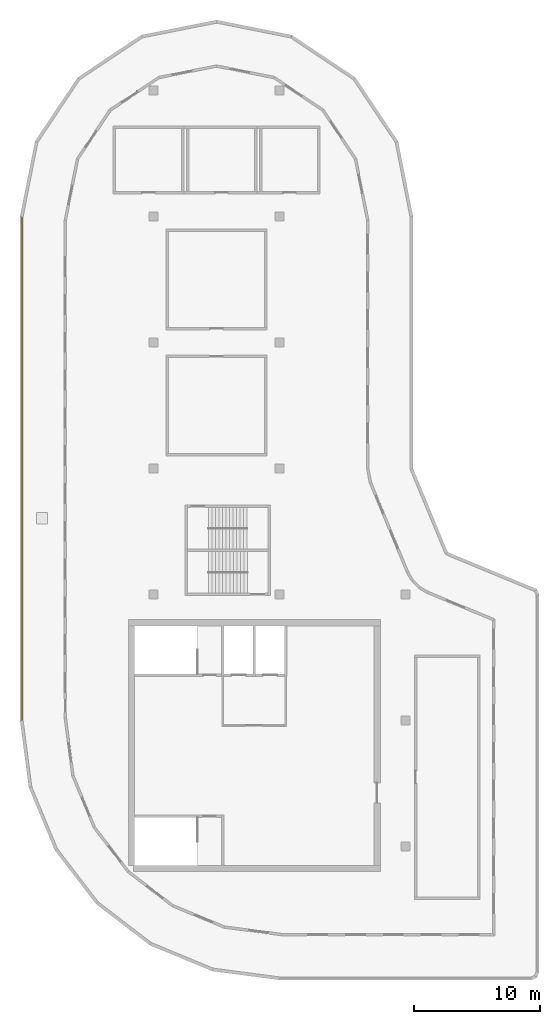
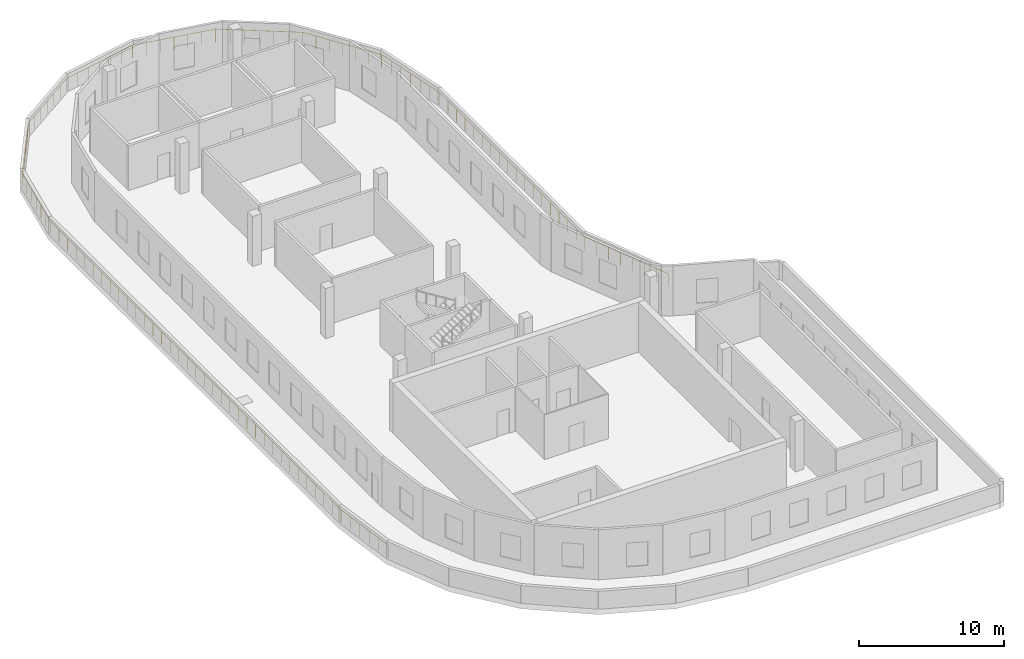
# One storey, part 6 of 6: 1 railing.
"""IFC4 building model written with IfcOpenShell, lengths in metres."""

from ifc_helpers import new_model, si_unit, direction, frame, origin, origin_2d, place, context, subcontext, project, spatial, circle, extrude, material, type_object, element, save


model = new_model("IFC4")

# Units and contexts
model_context = context("Model", 3, precision=1e-05, world=origin(), true_north=direction((0.0, 1.0)))
body_context = subcontext(model_context, "Body", "Model", "MODEL_VIEW")
ifc_project = project(units=[si_unit("LENGTHUNIT", "METRE"), si_unit("AREAUNIT", "SQUARE_METRE"), si_unit("VOLUMEUNIT", "CUBIC_METRE"), si_unit("PLANEANGLEUNIT", "RADIAN"), si_unit("MASSUNIT", "GRAM", prefix="KILO")], contexts=[model_context])

# Site, building, storey
site_placement = place(None, origin())
site = spatial("IfcSite", under=ifc_project, at=site_placement, CompositionType="ELEMENT")
building_placement = place(site_placement, origin())
building = spatial("IfcBuilding", under=site, at=building_placement, Name="Qaws Garden Tower", CompositionType="ELEMENT")
storey_placement = place(building_placement, frame((0.0, 0.0, 365.39990234375)))
storey = spatial("IfcBuildingStorey", under=building, at=storey_placement, Name="C1", CompositionType="ELEMENT", Elevation=365.39990234375)

# Railing
ifc_material = material(Name="Steel S355", Category="steel")
railing_type = type_object("IfcRailingType", Name="Guard steel balustrade 1100", PredefinedType="GUARDRAIL", material=ifc_material)
railing_placement = place(storey_placement, frame((0.248046875, 14.70751953125, 0.0)))
element("IfcRailing", 1, at=railing_placement, inside=storey, type_object=railing_type, Name="Terrace guard", PredefinedType="GUARDRAIL", context=body_context, shape_type="SweptSolid", body=[
    extrude(circle(Radius=0.02392578125, at=origin_2d()), frame((0.0, 0.0, 1.076171875), z_axis=(-0.13051591884, 0.991446213836, 0.0), x_axis=(-0.991446213836, -0.13051591884, 0.0)), (0.0, 0.0, 1.0), 5.347900390625),
    extrude(circle(Radius=0.02392578125, at=origin_2d()), frame((-0.697998046875, 5.30224609375, 1.076171875), z_axis=(0.0, 1.0, 0.0), x_axis=(-1.0, 0.0, 0.0)), (0.0, 0.0, 1.0), 39.975341796875),
    extrude(circle(Radius=0.02392578125, at=origin_2d()), frame((-0.697998046875, 45.277587890625, 1.076171875), z_axis=(0.195074821579, 0.980788363505, 0.0), x_axis=(-0.980788363505, 0.195074821579, 0.0)), (0.0, 0.0, 1.0), 6.042236328125),
    extrude(circle(Radius=0.02392578125, at=origin_2d()), frame((0.480712890625, 51.203857421875, 1.076171875), z_axis=(0.555597264704, 0.831451549673, 0.0), x_axis=(-0.831451549673, 0.555597264704, 0.0)), (0.0, 0.0, 1.0), 6.027099609375),
    extrude(circle(Radius=0.02392578125, at=origin_2d()), frame((3.829345703125, 56.215087890625, 1.076171875), z_axis=(0.831451549673, 0.555597264704, 0.0), x_axis=(-0.555597264704, 0.831451549673, 0.0)), (0.0, 0.0, 1.0), 6.027099609375),
    extrude(circle(Radius=0.02392578125, at=origin_2d()), frame((8.840576171875, 59.563720703125, 1.076171875), z_axis=(0.980787335434, 0.195079990396, 0.0), x_axis=(-0.195079990396, 0.980787335434, 0.0)), (0.0, 0.0, 1.0), 6.027099609375),
    extrude(circle(Radius=0.02392578125, at=origin_2d()), frame((14.751953125, 60.739501953125, 1.076171875), z_axis=(0.980787335434, -0.195079990396, 0.0), x_axis=(0.195079990396, 0.980787335434, 0.0)), (0.0, 0.0, 1.0), 6.027099609375),
    extrude(circle(Radius=0.02392578125, at=origin_2d()), frame((20.663330078125, 59.563720703125, 1.076171875), z_axis=(0.831451549673, -0.555597264704, 0.0), x_axis=(0.555597264704, 0.831451549673, 0.0)), (0.0, 0.0, 1.0), 6.027099609375),
    extrude(circle(Radius=0.02392578125, at=origin_2d()), frame((25.674560546875, 56.215087890625, 1.076171875), z_axis=(0.555597264704, -0.831451549673, 0.0), x_axis=(0.831451549673, 0.555597264704, 0.0)), (0.0, 0.0, 1.0), 6.027099609375),
    extrude(circle(Radius=0.02392578125, at=origin_2d()), frame((29.023193359375, 51.203857421875, 1.076171875), z_axis=(0.195074821579, -0.980788363505, 0.0), x_axis=(0.980788363505, 0.195074821579, 0.0)), (0.0, 0.0, 1.0), 6.042236328125),
    extrude(circle(Radius=0.02392578125, at=origin_2d()), frame((30.201904296875, 45.277587890625, 1.076171875), z_axis=(0.0, -1.0, 0.0), x_axis=(1.0, 0.0, 0.0)), (0.0, 0.0, 1.0), 19.985107421875),
    extrude(circle(Radius=0.02392578125, at=origin_2d()), frame((30.201904296875, 25.29248046875, 1.076171875), z_axis=(0.381237415932, -0.92447716721, 0.0), x_axis=(0.92447716721, 0.381237415932, 0.0)), (0.0, 0.0, 1.0), 7.251708984375),
    extrude(circle(Radius=0.02099609375, at=origin_2d()), origin(), (0.0, 0.0, 1.0), 1.052001953125),
    extrude(circle(Radius=0.02099609375, at=origin_2d()), frame((-0.1396484375, 1.060546875, 0.0)), (0.0, 0.0, 1.0), 1.052001953125),
    extrude(circle(Radius=0.02099609375, at=origin_2d()), frame((-0.279296875, 2.120849609375, 0.0)), (0.0, 0.0, 1.0), 1.052001953125),
    extrude(circle(Radius=0.02099609375, at=origin_2d()), frame((-0.418701171875, 3.181396484375, 0.0)), (0.0, 0.0, 1.0), 1.052001953125),
    extrude(circle(Radius=0.02099609375, at=origin_2d()), frame((-0.558349609375, 4.24169921875, 0.0)), (0.0, 0.0, 1.0), 1.052001953125),
    extrude(circle(Radius=0.02099609375, at=origin_2d()), frame((-0.697998046875, 5.30224609375, 0.0)), (0.0, 0.0, 1.0), 1.052001953125),
    extrude(circle(Radius=0.02099609375, at=origin_2d()), frame((-0.697998046875, 6.47802734375, 0.0)), (0.0, 0.0, 1.0), 1.052001953125),
    extrude(circle(Radius=0.02099609375, at=origin_2d()), frame((-0.697998046875, 7.65380859375, 0.0)), (0.0, 0.0, 1.0), 1.052001953125),
    extrude(circle(Radius=0.02099609375, at=origin_2d()), frame((-0.697998046875, 8.82958984375, 0.0)), (0.0, 0.0, 1.0), 1.052001953125),
    extrude(circle(Radius=0.02099609375, at=origin_2d()), frame((-0.697998046875, 10.005126953125, 0.0)), (0.0, 0.0, 1.0), 1.052001953125),
    extrude(circle(Radius=0.02099609375, at=origin_2d()), frame((-0.697998046875, 11.180908203125, 0.0)), (0.0, 0.0, 1.0), 1.052001953125),
    extrude(circle(Radius=0.02099609375, at=origin_2d()), frame((-0.697998046875, 12.356689453125, 0.0)), (0.0, 0.0, 1.0), 1.052001953125),
    extrude(circle(Radius=0.02099609375, at=origin_2d()), frame((-0.697998046875, 13.532470703125, 0.0)), (0.0, 0.0, 1.0), 1.052001953125),
    extrude(circle(Radius=0.02099609375, at=origin_2d()), frame((-0.697998046875, 14.708251953125, 0.0)), (0.0, 0.0, 1.0), 1.052001953125),
    extrude(circle(Radius=0.02099609375, at=origin_2d()), frame((-0.697998046875, 15.884033203125, 0.0)), (0.0, 0.0, 1.0), 1.052001953125),
    extrude(circle(Radius=0.02099609375, at=origin_2d()), frame((-0.697998046875, 17.059814453125, 0.0)), (0.0, 0.0, 1.0), 1.052001953125),
    extrude(circle(Radius=0.02099609375, at=origin_2d()), frame((-0.697998046875, 18.2353515625, 0.0)), (0.0, 0.0, 1.0), 1.052001953125),
    extrude(circle(Radius=0.02099609375, at=origin_2d()), frame((-0.697998046875, 19.4111328125, 0.0)), (0.0, 0.0, 1.0), 1.052001953125),
    extrude(circle(Radius=0.02099609375, at=origin_2d()), frame((-0.697998046875, 20.5869140625, 0.0)), (0.0, 0.0, 1.0), 1.052001953125),
    extrude(circle(Radius=0.02099609375, at=origin_2d()), frame((-0.697998046875, 21.7626953125, 0.0)), (0.0, 0.0, 1.0), 1.052001953125),
    extrude(circle(Radius=0.02099609375, at=origin_2d()), frame((-0.697998046875, 22.9384765625, 0.0)), (0.0, 0.0, 1.0), 1.052001953125),
    extrude(circle(Radius=0.02099609375, at=origin_2d()), frame((-0.697998046875, 24.1142578125, 0.0)), (0.0, 0.0, 1.0), 1.052001953125),
    extrude(circle(Radius=0.02099609375, at=origin_2d()), frame((-0.697998046875, 25.2900390625, 0.0)), (0.0, 0.0, 1.0), 1.052001953125),
    extrude(circle(Radius=0.02099609375, at=origin_2d()), frame((-0.697998046875, 26.465576171875, 0.0)), (0.0, 0.0, 1.0), 1.052001953125),
    extrude(circle(Radius=0.02099609375, at=origin_2d()), frame((-0.697998046875, 27.641357421875, 0.0)), (0.0, 0.0, 1.0), 1.052001953125),
    extrude(circle(Radius=0.02099609375, at=origin_2d()), frame((-0.697998046875, 28.817138671875, 0.0)), (0.0, 0.0, 1.0), 1.052001953125),
    extrude(circle(Radius=0.02099609375, at=origin_2d()), frame((-0.697998046875, 29.992919921875, 0.0)), (0.0, 0.0, 1.0), 1.052001953125),
    extrude(circle(Radius=0.02099609375, at=origin_2d()), frame((-0.697998046875, 31.168701171875, 0.0)), (0.0, 0.0, 1.0), 1.052001953125),
    extrude(circle(Radius=0.02099609375, at=origin_2d()), frame((-0.697998046875, 32.344482421875, 0.0)), (0.0, 0.0, 1.0), 1.052001953125),
    extrude(circle(Radius=0.02099609375, at=origin_2d()), frame((-0.697998046875, 33.52001953125, 0.0)), (0.0, 0.0, 1.0), 1.052001953125),
    extrude(circle(Radius=0.02099609375, at=origin_2d()), frame((-0.697998046875, 34.69580078125, 0.0)), (0.0, 0.0, 1.0), 1.052001953125),
    extrude(circle(Radius=0.02099609375, at=origin_2d()), frame((-0.697998046875, 35.87158203125, 0.0)), (0.0, 0.0, 1.0), 1.052001953125),
    extrude(circle(Radius=0.02099609375, at=origin_2d()), frame((-0.697998046875, 37.04736328125, 0.0)), (0.0, 0.0, 1.0), 1.052001953125),
    extrude(circle(Radius=0.02099609375, at=origin_2d()), frame((-0.697998046875, 38.22314453125, 0.0)), (0.0, 0.0, 1.0), 1.052001953125),
    extrude(circle(Radius=0.02099609375, at=origin_2d()), frame((-0.697998046875, 39.39892578125, 0.0)), (0.0, 0.0, 1.0), 1.052001953125),
    extrude(circle(Radius=0.02099609375, at=origin_2d()), frame((-0.697998046875, 40.57470703125, 0.0)), (0.0, 0.0, 1.0), 1.052001953125),
    extrude(circle(Radius=0.02099609375, at=origin_2d()), frame((-0.697998046875, 41.750244140625, 0.0)), (0.0, 0.0, 1.0), 1.052001953125),
    extrude(circle(Radius=0.02099609375, at=origin_2d()), frame((-0.697998046875, 42.926025390625, 0.0)), (0.0, 0.0, 1.0), 1.052001953125),
    extrude(circle(Radius=0.02099609375, at=origin_2d()), frame((-0.697998046875, 44.101806640625, 0.0)), (0.0, 0.0, 1.0), 1.052001953125),
    extrude(circle(Radius=0.02099609375, at=origin_2d()), frame((-0.697998046875, 45.277587890625, 0.0)), (0.0, 0.0, 1.0), 1.052001953125),
    extrude(circle(Radius=0.02099609375, at=origin_2d()), frame((-0.50146484375, 46.265380859375, 0.0)), (0.0, 0.0, 1.0), 1.052001953125),
    extrude(circle(Radius=0.02099609375, at=origin_2d()), frame((-0.30517578125, 47.2529296875, 0.0)), (0.0, 0.0, 1.0), 1.052001953125),
    extrude(circle(Radius=0.02099609375, at=origin_2d()), frame((-0.108642578125, 48.24072265625, 0.0)), (0.0, 0.0, 1.0), 1.052001953125),
    extrude(circle(Radius=0.02099609375, at=origin_2d()), frame((0.087890625, 49.228515625, 0.0)), (0.0, 0.0, 1.0), 1.052001953125),
    extrude(circle(Radius=0.02099609375, at=origin_2d()), frame((0.2841796875, 50.216064453125, 0.0)), (0.0, 0.0, 1.0), 1.052001953125),
    extrude(circle(Radius=0.02099609375, at=origin_2d()), frame((0.480712890625, 51.203857421875, 0.0)), (0.0, 0.0, 1.0), 1.052001953125),
    extrude(circle(Radius=0.02099609375, at=origin_2d()), frame((1.038818359375, 52.0390625, 0.0)), (0.0, 0.0, 1.0), 1.052001953125),
    extrude(circle(Radius=0.02099609375, at=origin_2d()), frame((1.596923828125, 52.874267578125, 0.0)), (0.0, 0.0, 1.0), 1.052001953125),
    extrude(circle(Radius=0.02099609375, at=origin_2d()), frame((2.155029296875, 53.70947265625, 0.0)), (0.0, 0.0, 1.0), 1.052001953125),
    extrude(circle(Radius=0.02099609375, at=origin_2d()), frame((2.713134765625, 54.544677734375, 0.0)), (0.0, 0.0, 1.0), 1.052001953125),
    extrude(circle(Radius=0.02099609375, at=origin_2d()), frame((3.271240234375, 55.3798828125, 0.0)), (0.0, 0.0, 1.0), 1.052001953125),
    extrude(circle(Radius=0.02099609375, at=origin_2d()), frame((3.829345703125, 56.215087890625, 0.0)), (0.0, 0.0, 1.0), 1.052001953125),
    extrude(circle(Radius=0.02099609375, at=origin_2d()), frame((4.66455078125, 56.773193359375, 0.0)), (0.0, 0.0, 1.0), 1.052001953125),
    extrude(circle(Radius=0.02099609375, at=origin_2d()), frame((5.499755859375, 57.331298828125, 0.0)), (0.0, 0.0, 1.0), 1.052001953125),
    extrude(circle(Radius=0.02099609375, at=origin_2d()), frame((6.3349609375, 57.889404296875, 0.0)), (0.0, 0.0, 1.0), 1.052001953125),
    extrude(circle(Radius=0.02099609375, at=origin_2d()), frame((7.170166015625, 58.447509765625, 0.0)), (0.0, 0.0, 1.0), 1.052001953125),
    extrude(circle(Radius=0.02099609375, at=origin_2d()), frame((8.00537109375, 59.005615234375, 0.0)), (0.0, 0.0, 1.0), 1.052001953125),
    extrude(circle(Radius=0.02099609375, at=origin_2d()), frame((8.840576171875, 59.563720703125, 0.0)), (0.0, 0.0, 1.0), 1.052001953125),
    extrude(circle(Radius=0.02099609375, at=origin_2d()), frame((9.82568359375, 59.759765625, 0.0)), (0.0, 0.0, 1.0), 1.052001953125),
    extrude(circle(Radius=0.02099609375, at=origin_2d()), frame((10.81103515625, 59.95556640625, 0.0)), (0.0, 0.0, 1.0), 1.052001953125),
    extrude(circle(Radius=0.02099609375, at=origin_2d()), frame((11.79638671875, 60.151611328125, 0.0)), (0.0, 0.0, 1.0), 1.052001953125),
    extrude(circle(Radius=0.02099609375, at=origin_2d()), frame((12.781494140625, 60.34765625, 0.0)), (0.0, 0.0, 1.0), 1.052001953125),
    extrude(circle(Radius=0.02099609375, at=origin_2d()), frame((13.7666015625, 60.54345703125, 0.0)), (0.0, 0.0, 1.0), 1.052001953125),
    extrude(circle(Radius=0.02099609375, at=origin_2d()), frame((14.751953125, 60.739501953125, 0.0)), (0.0, 0.0, 1.0), 1.052001953125),
    extrude(circle(Radius=0.02099609375, at=origin_2d()), frame((15.7373046875, 60.54345703125, 0.0)), (0.0, 0.0, 1.0), 1.052001953125),
    extrude(circle(Radius=0.02099609375, at=origin_2d()), frame((16.722412109375, 60.34765625, 0.0)), (0.0, 0.0, 1.0), 1.052001953125),
    extrude(circle(Radius=0.02099609375, at=origin_2d()), frame((17.70751953125, 60.151611328125, 0.0)), (0.0, 0.0, 1.0), 1.052001953125),
    extrude(circle(Radius=0.02099609375, at=origin_2d()), frame((18.69287109375, 59.95556640625, 0.0)), (0.0, 0.0, 1.0), 1.052001953125),
    extrude(circle(Radius=0.02099609375, at=origin_2d()), frame((19.67822265625, 59.759765625, 0.0)), (0.0, 0.0, 1.0), 1.052001953125),
    extrude(circle(Radius=0.02099609375, at=origin_2d()), frame((20.663330078125, 59.563720703125, 0.0)), (0.0, 0.0, 1.0), 1.052001953125),
    extrude(circle(Radius=0.02099609375, at=origin_2d()), frame((21.49853515625, 59.005615234375, 0.0)), (0.0, 0.0, 1.0), 1.052001953125),
    extrude(circle(Radius=0.02099609375, at=origin_2d()), frame((22.333740234375, 58.447509765625, 0.0)), (0.0, 0.0, 1.0), 1.052001953125),
    extrude(circle(Radius=0.02099609375, at=origin_2d()), frame((23.1689453125, 57.889404296875, 0.0)), (0.0, 0.0, 1.0), 1.052001953125),
    extrude(circle(Radius=0.02099609375, at=origin_2d()), frame((24.004150390625, 57.331298828125, 0.0)), (0.0, 0.0, 1.0), 1.052001953125),
    extrude(circle(Radius=0.02099609375, at=origin_2d()), frame((24.83935546875, 56.773193359375, 0.0)), (0.0, 0.0, 1.0), 1.052001953125),
    extrude(circle(Radius=0.02099609375, at=origin_2d()), frame((25.674560546875, 56.215087890625, 0.0)), (0.0, 0.0, 1.0), 1.052001953125),
    extrude(circle(Radius=0.02099609375, at=origin_2d()), frame((26.232666015625, 55.3798828125, 0.0)), (0.0, 0.0, 1.0), 1.052001953125),
    extrude(circle(Radius=0.02099609375, at=origin_2d()), frame((26.790771484375, 54.544677734375, 0.0)), (0.0, 0.0, 1.0), 1.052001953125),
    extrude(circle(Radius=0.02099609375, at=origin_2d()), frame((27.348876953125, 53.70947265625, 0.0)), (0.0, 0.0, 1.0), 1.052001953125),
    extrude(circle(Radius=0.02099609375, at=origin_2d()), frame((27.906982421875, 52.874267578125, 0.0)), (0.0, 0.0, 1.0), 1.052001953125),
    extrude(circle(Radius=0.02099609375, at=origin_2d()), frame((28.465087890625, 52.0390625, 0.0)), (0.0, 0.0, 1.0), 1.052001953125),
    extrude(circle(Radius=0.02099609375, at=origin_2d()), frame((29.023193359375, 51.203857421875, 0.0)), (0.0, 0.0, 1.0), 1.052001953125),
    extrude(circle(Radius=0.02099609375, at=origin_2d()), frame((29.2197265625, 50.216064453125, 0.0)), (0.0, 0.0, 1.0), 1.052001953125),
    extrude(circle(Radius=0.02099609375, at=origin_2d()), frame((29.416015625, 49.228515625, 0.0)), (0.0, 0.0, 1.0), 1.052001953125),
    extrude(circle(Radius=0.02099609375, at=origin_2d()), frame((29.612548828125, 48.24072265625, 0.0)), (0.0, 0.0, 1.0), 1.052001953125),
    extrude(circle(Radius=0.02099609375, at=origin_2d()), frame((29.80908203125, 47.2529296875, 0.0)), (0.0, 0.0, 1.0), 1.052001953125),
    extrude(circle(Radius=0.02099609375, at=origin_2d()), frame((30.00537109375, 46.265380859375, 0.0)), (0.0, 0.0, 1.0), 1.052001953125),
    extrude(circle(Radius=0.02099609375, at=origin_2d()), frame((30.201904296875, 45.277587890625, 0.0)), (0.0, 0.0, 1.0), 1.052001953125),
    extrude(circle(Radius=0.02099609375, at=origin_2d()), frame((30.201904296875, 44.10205078125, 0.0)), (0.0, 0.0, 1.0), 1.052001953125),
    extrude(circle(Radius=0.02099609375, at=origin_2d()), frame((30.201904296875, 42.926513671875, 0.0)), (0.0, 0.0, 1.0), 1.052001953125),
    extrude(circle(Radius=0.02099609375, at=origin_2d()), frame((30.201904296875, 41.750732421875, 0.0)), (0.0, 0.0, 1.0), 1.052001953125),
    extrude(circle(Radius=0.02099609375, at=origin_2d()), frame((30.201904296875, 40.5751953125, 0.0)), (0.0, 0.0, 1.0), 1.052001953125),
    extrude(circle(Radius=0.02099609375, at=origin_2d()), frame((30.201904296875, 39.399658203125, 0.0)), (0.0, 0.0, 1.0), 1.052001953125),
    extrude(circle(Radius=0.02099609375, at=origin_2d()), frame((30.201904296875, 38.22412109375, 0.0)), (0.0, 0.0, 1.0), 1.052001953125),
    extrude(circle(Radius=0.02099609375, at=origin_2d()), frame((30.201904296875, 37.04833984375, 0.0)), (0.0, 0.0, 1.0), 1.052001953125),
    extrude(circle(Radius=0.02099609375, at=origin_2d()), frame((30.201904296875, 35.872802734375, 0.0)), (0.0, 0.0, 1.0), 1.052001953125),
    extrude(circle(Radius=0.02099609375, at=origin_2d()), frame((30.201904296875, 34.697265625, 0.0)), (0.0, 0.0, 1.0), 1.052001953125),
    extrude(circle(Radius=0.02099609375, at=origin_2d()), frame((30.201904296875, 33.521728515625, 0.0)), (0.0, 0.0, 1.0), 1.052001953125),
    extrude(circle(Radius=0.02099609375, at=origin_2d()), frame((30.201904296875, 32.345947265625, 0.0)), (0.0, 0.0, 1.0), 1.052001953125),
    extrude(circle(Radius=0.02099609375, at=origin_2d()), frame((30.201904296875, 31.17041015625, 0.0)), (0.0, 0.0, 1.0), 1.052001953125),
    extrude(circle(Radius=0.02099609375, at=origin_2d()), frame((30.201904296875, 29.994873046875, 0.0)), (0.0, 0.0, 1.0), 1.052001953125),
    extrude(circle(Radius=0.02099609375, at=origin_2d()), frame((30.201904296875, 28.8193359375, 0.0)), (0.0, 0.0, 1.0), 1.052001953125),
    extrude(circle(Radius=0.02099609375, at=origin_2d()), frame((30.201904296875, 27.6435546875, 0.0)), (0.0, 0.0, 1.0), 1.052001953125),
    extrude(circle(Radius=0.02099609375, at=origin_2d()), frame((30.201904296875, 26.468017578125, 0.0)), (0.0, 0.0, 1.0), 1.052001953125),
    extrude(circle(Radius=0.02099609375, at=origin_2d()), frame((30.201904296875, 25.29248046875, 0.0)), (0.0, 0.0, 1.0), 1.052001953125),
    extrude(circle(Radius=0.02099609375, at=origin_2d()), frame((30.596923828125, 24.334716796875, 0.0)), (0.0, 0.0, 1.0), 1.052001953125),
    extrude(circle(Radius=0.02099609375, at=origin_2d()), frame((30.99169921875, 23.376953125, 0.0)), (0.0, 0.0, 1.0), 1.052001953125),
    extrude(circle(Radius=0.02099609375, at=origin_2d()), frame((31.38671875, 22.419189453125, 0.0)), (0.0, 0.0, 1.0), 1.052001953125),
    extrude(circle(Radius=0.02099609375, at=origin_2d()), frame((31.78173828125, 21.461669921875, 0.0)), (0.0, 0.0, 1.0), 1.052001953125),
    extrude(circle(Radius=0.02099609375, at=origin_2d()), frame((32.1767578125, 20.50390625, 0.0)), (0.0, 0.0, 1.0), 1.052001953125),
    extrude(circle(Radius=0.02099609375, at=origin_2d()), frame((32.571533203125, 19.546142578125, 0.0)), (0.0, 0.0, 1.0), 1.052001953125),
    extrude(circle(Radius=0.02099609375, at=origin_2d()), frame((32.966552734375, 18.58837890625, 0.0)), (0.0, 0.0, 1.0), 1.052001953125),
])

save(model, "model.ifc")
